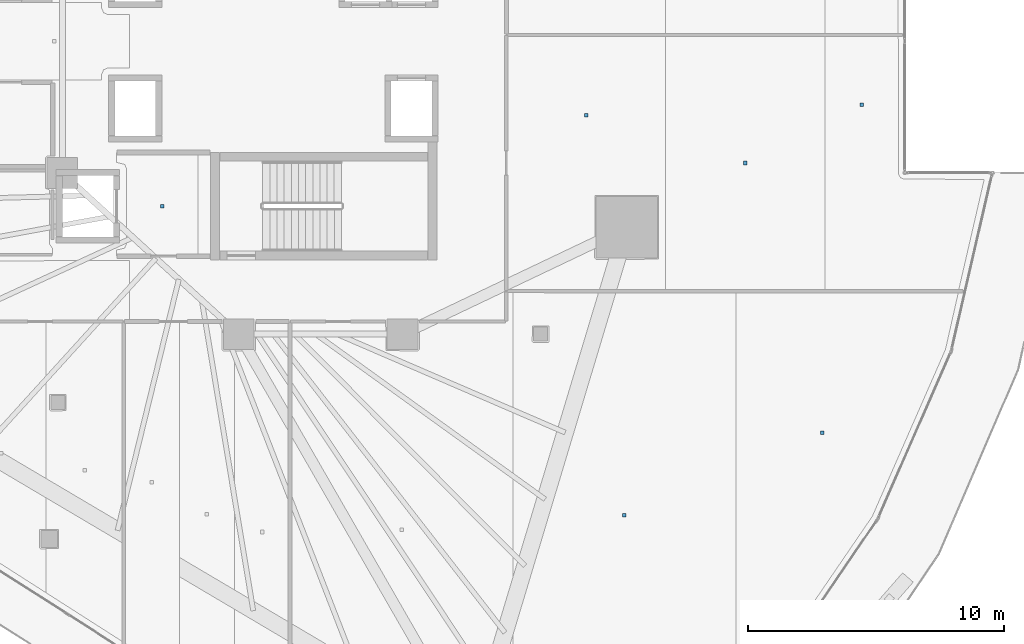
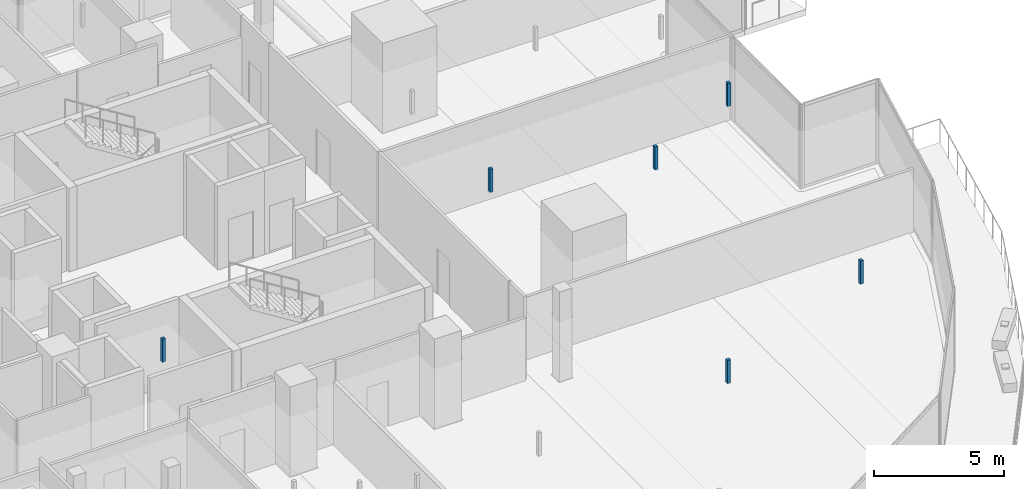
# One storey, part 35 of 47: 6 discrete accessories.
"""IFC4 building model written with IfcOpenShell, lengths in metres."""

from ifc_helpers import new_model, si_unit, direction, frame, origin, origin_2d, place, context, subcontext, project, spatial, rectangle, extrude, material, type_object, element, save


model = new_model("IFC4")

# Units and contexts
model_context = context("Model", 3, precision=1e-05, world=origin(), true_north=direction((0.0, 1.0)))
body_context = subcontext(model_context, "Body", "Model", "MODEL_VIEW")
ifc_project = project(units=[si_unit("LENGTHUNIT", "METRE"), si_unit("AREAUNIT", "SQUARE_METRE"), si_unit("VOLUMEUNIT", "CUBIC_METRE"), si_unit("PLANEANGLEUNIT", "RADIAN"), si_unit("MASSUNIT", "GRAM", prefix="KILO")], contexts=[model_context])

# Site, building, storey
site_placement = place(None, origin())
site = spatial("IfcSite", under=ifc_project, at=site_placement, CompositionType="ELEMENT")
building_placement = place(site_placement, origin())
building = spatial("IfcBuilding", under=site, at=building_placement, Name="Qorvath Tower", CompositionType="ELEMENT")
storey_placement = place(building_placement, frame((0.0, 0.0, 82.800048828125)))
storey = spatial("IfcBuildingStorey", under=building, at=storey_placement, Name="L18", CompositionType="ELEMENT", Elevation=82.800048828125)

# Discrete accessories
ifc_material = material(Name="Galvanised steel bracket", Category="steel")
discrete_accessory_type = type_object("IfcDiscreteAccessoryType", Name="DA-BRACKET", PredefinedType="BRACKET", material=ifc_material)
for number, where, z_axis, x_axis, name in (
    (1, (-26.590087890625, -6.449951171875, 2.85986328125), (0.0, 0.0, 1.0), (1.0, 0.0, 0.0), "Acoustic Ceiling Suspension Hanger T1-L18-002"),
    (2, (-8.527587890625, -18.524658203125, 2.85986328125), (0.0, 0.0, 1.0), (1.0, 0.0, 0.0), "Acoustic Ceiling Suspension Hanger T1-L18-025"),
    (3, (-0.788330078125, -15.310546875, 2.85986328125), (0.0, 0.0, 1.0), (1.0, 0.0, 0.0), "Acoustic Ceiling Suspension Hanger T1-L18-026"),
    (4, (-10.02392578125, -2.89892578125, 2.85986328125), (0.0, 0.0, 1.0), (1.0, 0.0, 0.0), "Acoustic Ceiling Suspension Hanger T1-L18-027"),
    (5, (-3.798095703125, -4.760986328125, 2.85986328125), (0.0, 0.0, 1.0), (1.0, 0.0, 0.0), "Acoustic Ceiling Suspension Hanger T1-L18-028"),
    (6, (0.748046875, -2.476806640625, 2.85986328125), (0.0, 0.0, 1.0), (1.0, 0.0, 0.0), "Acoustic Ceiling Suspension Hanger T1-L18-029"),
):
    element("IfcDiscreteAccessory", number, at=place(storey_placement, frame(where, z_axis=z_axis, x_axis=x_axis)), inside=storey, type_object=discrete_accessory_type, Name=name, PredefinedType="NOTDEFINED", context=body_context, shape_type="SweptSolid", body=[
        extrude(rectangle(XDim=0.139892578125, YDim=0.139892578125, at=origin_2d()), origin(), (0.0, 0.0, 1.0), 1.090087890625),
    ])

save(model, "model.ifc")
